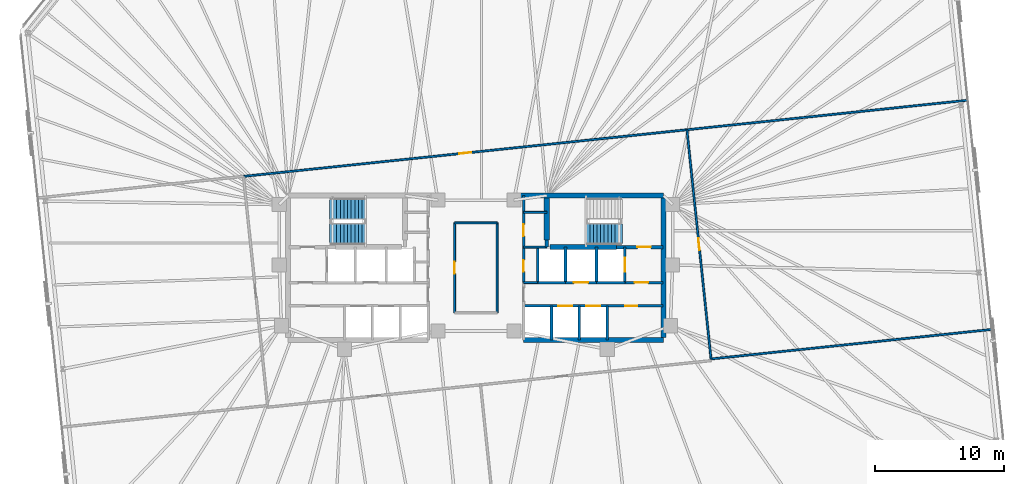
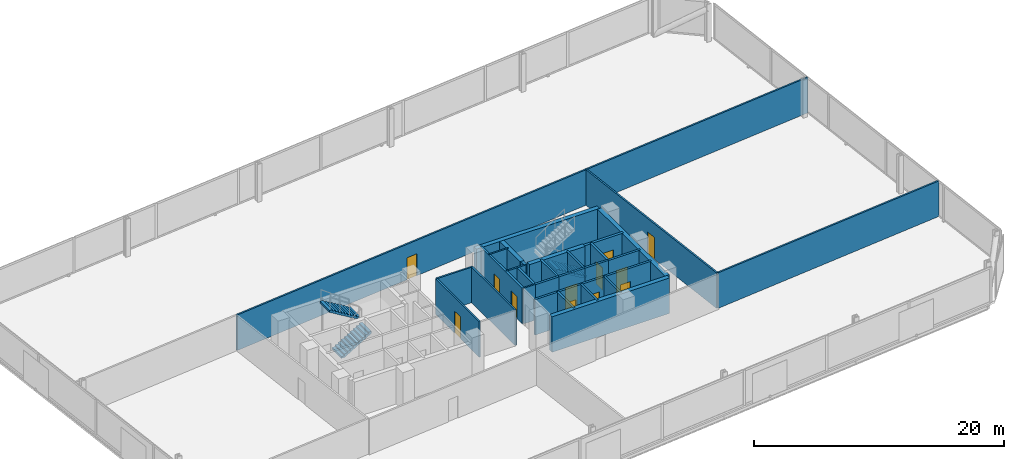
# One storey, part 15 of 17: 30 walls, 12 doors, 3 stair flights, 12 openings, 2 elements without a shape of their own.
"""IFC4 building model written with IfcOpenShell, lengths in metres."""

from ifc_helpers import new_model, si_unit, direction, frame, frame_2d, origin, place, context, subcontext, project, spatial, polyline, rectangle, outline, extrude, material, layer, layer_set, type_object, element, fill, aggregate, save


model = new_model("IFC4")

# Units and contexts
model_context = context("Model", 3, precision=1e-05, world=origin(), true_north=direction((0.0, 1.0)))
body_context = subcontext(model_context, "Body", "Model", "MODEL_VIEW")
ifc_project = project(units=[si_unit("LENGTHUNIT", "METRE"), si_unit("AREAUNIT", "SQUARE_METRE"), si_unit("VOLUMEUNIT", "CUBIC_METRE"), si_unit("PLANEANGLEUNIT", "RADIAN"), si_unit("MASSUNIT", "GRAM", prefix="KILO")], contexts=[model_context])

# Site, building, storey
site_placement = place(None, origin())
site = spatial("IfcSite", under=ifc_project, at=site_placement, CompositionType="ELEMENT")
building_placement = place(site_placement, origin())
building = spatial("IfcBuilding", under=site, at=building_placement, Name="Menara Jurai Vektor", CompositionType="ELEMENT")
storey_placement = place(building_placement, frame((0.0, 0.0, 131.800048828125)))
storey = spatial("IfcBuildingStorey", under=building, at=storey_placement, Name="L33", CompositionType="ELEMENT", Elevation=131.800048828125)

# Wall, opening, door
ifc_material_1 = material(Name="Concrete C40/50", Category="concrete")
ifc_layer_1 = layer(ifc_material_1, 0.25)
ifc_layer_set_1 = layer_set([ifc_layer_1], Name="Concrete C40/50")
wall_type_1 = type_object("IfcWallType", Name="INT-WALL-CORE-250", PredefinedType="STANDARD", material=ifc_layer_set_1)
wall_1_placement = place(storey_placement, frame((10.89990234375, 1.60009765625, 0.0), z_axis=(0.0, 0.0, 1.0), x_axis=(1.0, 0.0, 0.0)))
wall_1 = element("IfcWall", 1, at=wall_1_placement, inside=storey, type_object=wall_type_1, Name="Interior Wall IW-250 L33", PredefinedType="STANDARD", context=body_context, shape_type="SweptSolid", body=[
    extrude(rectangle(XDim=3.60009765625, YDim=0.25, at=frame_2d((1.800048828125, 0.0))), origin(), (0.0, 0.0, 1.0), 3.474853515625),
])
opening_1_placement = place(wall_1_placement, frame((1.6201171875, 0.0, 0.0)))
opening_1 = element("IfcOpeningElement", 2, at=opening_1_placement, cuts=wall_1, Name="Opening D-L33-ST2", PredefinedType="OPENING", context=body_context, shape_type="SweptSolid", body=[
    extrude(rectangle(XDim=1.050048828125, YDim=2.14990234375, at=frame_2d((0.52490234375, 1.074951171875))), frame((0.0, 0.135009765625, 0.0), z_axis=(0.0, -1.0, 0.0), x_axis=(1.0, 0.0, 0.0)), (0.0, 0.0, 1.0), 0.27001953125),
])
ifc_material_2 = material(Name="Fire-Rated Steel Door", Category="steel")
door_type_1 = type_object("IfcDoorType", Name="DR-STAIR-1050", OperationType="NOTDEFINED", PredefinedType="DOOR", material=ifc_material_2)
door_1_placement = place(opening_1_placement, origin())
door_1 = element("IfcDoor", 3, at=door_1_placement, inside=storey, type_object=door_type_1, Name="Exit Stair ST2 Door L33", OperationType="SINGLE_SWING_LEFT", OverallHeight=2.14990234375, OverallWidth=1.050048828125, PredefinedType="DOOR", context=body_context, shape_type="SweptSolid", body=[
    extrude(rectangle(XDim=1.050048828125, YDim=2.14990234375, at=frame_2d((0.52490234375, 1.074951171875))), frame((0.0, 0.02490234375, 0.0), z_axis=(0.0, -1.0, 0.0), x_axis=(1.0, 0.0, 0.0)), (0.0, 0.0, 1.0), 0.050048828125),
])
fill(opening_1, door_1)

# Wall
wall_2_placement = place(storey_placement, frame((5.5, 1.60009765625, 0.0), z_axis=(0.0, 0.0, 1.0), x_axis=(0.0, 1.0, 0.0)))
element("IfcWall", 4, at=wall_2_placement, inside=storey, type_object=wall_type_1, Name="Interior Wall IW-250 L33", PredefinedType="STANDARD", context=body_context, shape_type="SweptSolid", body=[
    extrude(rectangle(XDim=0.5498046875, YDim=0.25, at=frame_2d((0.27490234375, 0.0))), origin(), (0.0, 0.0, 1.0), 3.474853515625),
])

# Wall, opening, door
wall_3_placement = place(storey_placement, frame((11.550048828125, -1.14990234375, 0.0), z_axis=(0.0, 0.0, 1.0), x_axis=(0.0, 1.0, 0.0)))
wall_3 = element("IfcWall", 5, at=wall_3_placement, inside=storey, type_object=wall_type_1, Name="Interior Wall IW-250 L33", PredefinedType="STANDARD", context=body_context, shape_type="SweptSolid", body=[
    extrude(rectangle(XDim=2.75, YDim=0.199951171875, at=frame_2d((1.375, 0.0))), origin(), (0.0, 0.0, 1.0), 3.474853515625),
])
opening_2_placement = place(wall_3_placement, frame((0.824951171875, 0.0, 0.0)))
opening_2 = element("IfcOpeningElement", 6, at=opening_2_placement, cuts=wall_3, Name="Opening LD-L33-FL2", PredefinedType="OPENING", context=body_context, shape_type="SweptSolid", body=[
    extrude(rectangle(XDim=1.10009765625, YDim=2.14990234375, at=frame_2d((0.550048828125, 1.074951171875))), frame((0.0, 0.10986328125, 0.0), z_axis=(0.0, -1.0, 0.0), x_axis=(1.0, 0.0, 0.0)), (0.0, 0.0, 1.0), 0.219970703125),
])
ifc_material_3 = material(Name="Stainless Steel Sliding Lift Landing Door", Category="steel")
door_type_2 = type_object("IfcDoorType", Name="DR-LIFT-FIRE-1100", OperationType="NOTDEFINED", PredefinedType="DOOR", material=ifc_material_3)
door_2_placement = place(opening_2_placement, origin())
door_2 = element("IfcDoor", 7, at=door_2_placement, inside=storey, type_object=door_type_2, Name="Lift Landing Door FL2 L33", OperationType="SLIDING_TO_RIGHT", OverallHeight=2.14990234375, OverallWidth=1.10009765625, PredefinedType="DOOR", context=body_context, shape_type="SweptSolid", body=[
    extrude(rectangle(XDim=1.10009765625, YDim=2.14990234375, at=frame_2d((0.550048828125, 1.074951171875))), frame((0.0, 0.02490234375, 0.0), z_axis=(0.0, -1.0, 0.0), x_axis=(1.0, 0.0, 0.0)), (0.0, 0.0, 1.0), 0.050048828125),
])
fill(opening_2, door_2)

# Wall
wall_4_placement = place(storey_placement, frame((9.35009765625, -1.14990234375, 0.0), z_axis=(0.0, 0.0, 1.0), x_axis=(0.0, 1.0, 0.0)))
element("IfcWall", 8, at=wall_4_placement, inside=storey, type_object=wall_type_1, Name="Interior Wall IW-250 L33", PredefinedType="STANDARD", context=body_context, shape_type="SweptSolid", body=[
    extrude(rectangle(XDim=2.75, YDim=0.199951171875, at=frame_2d((1.375, 0.0))), origin(), (0.0, 0.0, 1.0), 3.474853515625),
])

# Wall, opening, door
wall_5_placement = place(storey_placement, frame((11.550048828125, -1.14990234375, 0.0), z_axis=(0.0, 0.0, 1.0), x_axis=(1.0, 0.0, 0.0)))
wall_5 = element("IfcWall", 9, at=wall_5_placement, inside=storey, type_object=wall_type_1, Name="Interior Wall IW-250 L33", PredefinedType="STANDARD", context=body_context, shape_type="SweptSolid", body=[
    extrude(rectangle(XDim=2.949951171875, YDim=0.199951171875, at=frame_2d((1.47509765625, 0.0))), origin(), (0.0, 0.0, 1.0), 3.474853515625),
])
opening_3_placement = place(wall_5_placement, frame((0.75, 0.0, 0.0)))
opening_3 = element("IfcOpeningElement", 10, at=opening_3_placement, cuts=wall_5, Name="Opening D-L33-FFE", PredefinedType="OPENING", context=body_context, shape_type="SweptSolid", body=[
    extrude(rectangle(XDim=1.050048828125, YDim=2.179931640625, at=frame_2d((0.52490234375, 1.08984375))), frame((0.0, 0.10986328125, 0.0), z_axis=(0.0, -1.0, 0.0), x_axis=(1.0, 0.0, 0.0)), (0.0, 0.0, 1.0), 0.219970703125),
])
ifc_material_4 = material(Name="Fire-Rated Timber Door", Category="wood")
door_type_3 = type_object("IfcDoorType", Name="DR-LOBBY-1050", OperationType="NOTDEFINED", PredefinedType="DOOR", material=ifc_material_4)
door_3_placement = place(opening_3_placement, origin())
door_3 = element("IfcDoor", 11, at=door_3_placement, inside=storey, type_object=door_type_3, Name="Fire Lift Lobby Door E L33", OperationType="SINGLE_SWING_LEFT", OverallHeight=2.179931640625, OverallWidth=1.050048828125, PredefinedType="DOOR", context=body_context, shape_type="SweptSolid", body=[
    extrude(rectangle(XDim=1.050048828125, YDim=2.179931640625, at=frame_2d((0.52490234375, 1.08984375))), frame((0.0, 0.02490234375, 0.0), z_axis=(0.0, -1.0, 0.0), x_axis=(1.0, 0.0, 0.0)), (0.0, 0.0, 1.0), 0.050048828125),
])
fill(opening_3, door_3)

# Walls
wall_6_placement = place(storey_placement, frame((9.35009765625, -1.14990234375, 0.0), z_axis=(0.0, 0.0, 1.0), x_axis=(1.0, 0.0, 0.0)))
element("IfcWall", 12, at=wall_6_placement, inside=storey, type_object=wall_type_1, Name="Interior Wall IW-250 L33", PredefinedType="STANDARD", context=body_context, shape_type="SweptSolid", body=[
    extrude(rectangle(XDim=2.199951171875, YDim=0.199951171875, at=frame_2d((1.10009765625, 0.0))), origin(), (0.0, 0.0, 1.0), 3.474853515625),
])
ifc_material_5 = material(Name="Gypsum Fireboard Partition", Category="gypsum")
ifc_layer_2 = layer(ifc_material_5, 0.14990234375)
ifc_layer_set_2 = layer_set([ifc_layer_2], Name="Gypsum Fireboard Partition")
wall_type_2 = type_object("IfcWallType", Name="INT-WALL-CORR-150", PredefinedType="PARTITIONING", material=ifc_layer_set_2)
wall_7_placement = place(storey_placement, frame((3.699951171875, -1.14990234375, 0.0), z_axis=(0.0, 0.0, 1.0), x_axis=(1.0, 0.0, 0.0)))
element("IfcWall", 13, at=wall_7_placement, inside=storey, type_object=wall_type_2, Name="Interior Wall IW-150 L33", PredefinedType="PARTITIONING", context=body_context, shape_type="SweptSolid", body=[
    extrude(rectangle(XDim=1.090087890625, YDim=0.14990234375, at=frame_2d((0.544921875, 0.0))), origin(), (0.0, 0.0, 1.0), 3.474853515625),
])
for number, where, z_axis, x_axis, name in (
    (14, (3.699951171875, 4.300048828125, 0.0), (0.0, 0.0, 1.0), (1.0, 0.0, 0.0), "Interior Wall IW-150 L33"),
    (15, (3.699951171875, 1.60009765625, 0.0), (0.0, 0.0, 1.0), (1.0, 0.0, 0.0), "Interior Wall IW-150 L33"),
):
    element("IfcWall", number, at=place(storey_placement, frame(where, z_axis=z_axis, x_axis=x_axis)), inside=storey, type_object=wall_type_2, Name=name, PredefinedType="PARTITIONING", context=body_context, shape_type="SweptSolid", body=[
        extrude(rectangle(XDim=1.800048828125, YDim=0.14990234375, at=frame_2d((0.89990234375, 0.0))), origin(), (0.0, 0.0, 1.0), 3.474853515625),
    ])

# Wall, opening, door
wall_8_placement = place(storey_placement, frame((-1.649658203125, -3.490478515625, 0.0), z_axis=(0.0, 0.0, 1.0), x_axis=(-0.000104928124, 0.999999994495, 0.0)))
wall_8 = element("IfcWall", 16, at=wall_8_placement, inside=storey, type_object=wall_type_2, Name="Interior Wall IW-150 L33", PredefinedType="PARTITIONING", context=body_context, shape_type="SweptSolid", body=[
    extrude(rectangle(XDim=6.980224609375, YDim=0.14990234375, at=frame_2d((3.490234375, 0.0))), origin(), (0.0, 0.0, 1.0), 3.474853515625),
])
opening_4_placement = place(wall_8_placement, frame((3.01513671875, 0.0, 0.0)))
opening_4 = element("IfcOpeningElement", 17, at=opening_4_placement, cuts=wall_8, Name="Opening D33-08", PredefinedType="OPENING", context=body_context, shape_type="SweptSolid", body=[
    extrude(rectangle(XDim=0.949951171875, YDim=2.14990234375, at=frame_2d((0.47509765625, 1.074951171875))), frame((0.0, 0.0849609375, 0.0), z_axis=(0.0, -1.0, 0.0), x_axis=(1.0, 0.0, 0.0)), (0.0, 0.0, 1.0), 0.169921875),
])
ifc_material_6 = material(Name="Solid Core Timber Fire Door", Category="wood")
door_type_4 = type_object("IfcDoorType", Name="DR-ENTRY-950", OperationType="NOTDEFINED", PredefinedType="DOOR", material=ifc_material_6)
door_4_placement = place(opening_4_placement, origin())
door_4 = element("IfcDoor", 18, at=door_4_placement, inside=storey, type_object=door_type_4, Name="Interior Door D33-08", OperationType="SINGLE_SWING_LEFT", OverallHeight=2.14990234375, OverallWidth=0.949951171875, PredefinedType="DOOR", context=body_context, shape_type="SweptSolid", body=[
    extrude(rectangle(XDim=0.949951171875, YDim=2.14990234375, at=frame_2d((0.47509765625, 1.074951171875))), frame((0.0, 0.02490234375, 0.0), z_axis=(0.0, -1.0, 0.0), x_axis=(1.0, 0.0, 0.0)), (0.0, 0.0, 1.0), 0.050048828125),
])
fill(opening_4, door_4)

# Walls
wall_9_placement = place(storey_placement, frame((-1.650390625, 3.48974609375, 0.0), z_axis=(0.0, 0.0, 1.0), x_axis=(1.0, 0.0, 0.0)))
element("IfcWall", 19, at=wall_9_placement, inside=storey, type_object=wall_type_2, Name="Interior Wall IW-150 L33", PredefinedType="PARTITIONING", context=body_context, shape_type="SweptSolid", body=[
    extrude(rectangle(XDim=3.30029296875, YDim=0.14990234375, at=frame_2d((1.650146484375, 0.0))), origin(), (0.0, 0.0, 1.0), 3.474853515625),
])
wall_10_placement = place(storey_placement, frame((1.650390625, -3.490478515625, 0.0), z_axis=(0.0, 0.0, 1.0), x_axis=(-6.9952083e-05, 0.999999997553, 0.0)))
element("IfcWall", 20, at=wall_10_placement, inside=storey, type_object=wall_type_2, Name="Interior Wall IW-150 L33", PredefinedType="PARTITIONING", context=body_context, shape_type="SweptSolid", body=[
    extrude(rectangle(XDim=6.980224609375, YDim=0.14990234375, at=frame_2d((3.490234375, 0.0))), origin(), (0.0, 0.0, 1.0), 3.474853515625),
])

# Wall, opening, door
wall_11_placement = place(storey_placement, frame((-18.021240234375, 7.09033203125, 0.0), z_axis=(0.0, 0.0, 1.0), x_axis=(0.994522464549, 0.104523047737, 0.0)))
wall_11 = element("IfcWall", 21, at=wall_11_placement, inside=storey, type_object=wall_type_2, Name="Interior Wall IW-150 L33", PredefinedType="PARTITIONING", context=body_context, shape_type="SweptSolid", body=[
    extrude(rectangle(XDim=34.573974609375, YDim=0.14990234375, at=frame_2d((17.287109375, 0.0))), origin(), (0.0, 0.0, 1.0), 3.474853515625),
])
opening_5_placement = place(wall_11_placement, frame((16.81201171875, 0.0, 0.0)))
opening_5 = element("IfcOpeningElement", 22, at=opening_5_placement, cuts=wall_11, Name="Opening D33-09", PredefinedType="OPENING", context=body_context, shape_type="SweptSolid", body=[
    extrude(rectangle(XDim=0.949951171875, YDim=2.14990234375, at=frame_2d((0.47509765625, 1.074951171875))), frame((0.0, 0.0849609375, 0.0), z_axis=(0.0, -1.0, 0.0), x_axis=(1.0, 0.0, 0.0)), (0.0, 0.0, 1.0), 0.169921875),
])
door_5_placement = place(opening_5_placement, origin())
door_5 = element("IfcDoor", 23, at=door_5_placement, inside=storey, type_object=door_type_4, Name="Interior Door D33-09", OperationType="SINGLE_SWING_RIGHT", OverallHeight=2.14990234375, OverallWidth=0.949951171875, PredefinedType="DOOR", context=body_context, shape_type="SweptSolid", body=[
    extrude(rectangle(XDim=0.949951171875, YDim=2.14990234375, at=frame_2d((0.47509765625, 1.074951171875))), frame((0.0, 0.02490234375, 0.0), z_axis=(0.0, -1.0, 0.0), x_axis=(1.0, 0.0, 0.0)), (0.0, 0.0, 1.0), 0.050048828125),
])
fill(opening_5, door_5)

wall_12_placement = place(storey_placement, frame((18.231201171875, -7.06787109375, 0.0), z_axis=(0.0, 0.0, 1.0), x_axis=(-0.104529034836, 0.994521835294, 0.0)))
wall_12 = element("IfcWall", 24, at=wall_12_placement, inside=storey, type_object=wall_type_2, Name="Interior Wall IW-150 L33", PredefinedType="PARTITIONING", context=body_context, shape_type="SweptSolid", body=[
    extrude(rectangle(XDim=17.869873046875, YDim=0.14990234375, at=frame_2d((8.93505859375, 0.0))), origin(), (0.0, 0.0, 1.0), 3.474853515625),
])
opening_6_placement = place(wall_12_placement, frame((8.4599609375, 0.0, 0.0)))
opening_6 = element("IfcOpeningElement", 25, at=opening_6_placement, cuts=wall_12, Name="Opening D33-13", PredefinedType="OPENING", context=body_context, shape_type="SweptSolid", body=[
    extrude(rectangle(XDim=0.949951171875, YDim=2.14990234375, at=frame_2d((0.47509765625, 1.074951171875))), frame((0.0, 0.0849609375, 0.0), z_axis=(0.0, -1.0, 0.0), x_axis=(1.0, 0.0, 0.0)), (0.0, 0.0, 1.0), 0.169921875),
])
door_6_placement = place(opening_6_placement, origin())
door_6 = element("IfcDoor", 26, at=door_6_placement, inside=storey, type_object=door_type_4, Name="Interior Door D33-13", OperationType="SINGLE_SWING_RIGHT", OverallHeight=2.14990234375, OverallWidth=0.949951171875, PredefinedType="DOOR", context=body_context, shape_type="SweptSolid", body=[
    extrude(rectangle(XDim=0.949951171875, YDim=2.14990234375, at=frame_2d((0.47509765625, 1.074951171875))), frame((0.0, 0.02490234375, 0.0), z_axis=(0.0, -1.0, 0.0), x_axis=(1.0, 0.0, 0.0)), (0.0, 0.0, 1.0), 0.050048828125),
])
fill(opening_6, door_6)

# Walls
wall_13_placement = place(storey_placement, frame((16.36328125, 10.7041015625, 0.0), z_axis=(0.0, 0.0, 1.0), x_axis=(0.994521206634, 0.104535015934, 0.0)))
element("IfcWall", 27, at=wall_13_placement, inside=storey, type_object=wall_type_2, Name="Interior Wall IW-150 L33", PredefinedType="PARTITIONING", context=body_context, shape_type="SweptSolid", body=[
    extrude(rectangle(XDim=21.892822265625, YDim=0.14990234375, at=frame_2d((10.9462890625, 0.0))), origin(), (0.0, 0.0, 1.0), 3.474853515625),
])
wall_14_placement = place(storey_placement, frame((18.231201171875, -7.06787109375, 0.0), z_axis=(0.0, 0.0, 1.0), x_axis=(0.994521328491, 0.104533856601, 0.0)))
element("IfcWall", 28, at=wall_14_placement, inside=storey, type_object=wall_type_2, Name="Interior Wall IW-150 L33", PredefinedType="PARTITIONING", context=body_context, shape_type="SweptSolid", body=[
    extrude(rectangle(XDim=21.89306640625, YDim=0.14990234375, at=frame_2d((10.946533203125, 0.0))), origin(), (0.0, 0.0, 1.0), 3.474853515625),
])

# Wall, openings, doors
ifc_layer_3 = layer(ifc_material_1, 0.199951171875)
ifc_layer_set_3 = layer_set([ifc_layer_3], Name="Concrete C40/50")
wall_type_3 = type_object("IfcWallType", Name="INT-WALL-SHAFT-200", PredefinedType="STANDARD", material=ifc_layer_set_3)
wall_15_placement = place(storey_placement, frame((3.699951171875, -1.14990234375, 0.0), z_axis=(0.0, 0.0, 1.0), x_axis=(0.0, 1.0, 0.0)))
wall_15 = element("IfcWall", 29, at=wall_15_placement, inside=storey, type_object=wall_type_3, Name="Interior Wall IW-200 L33", PredefinedType="STANDARD", context=body_context, shape_type="SweptSolid", body=[
    extrude(rectangle(XDim=6.75, YDim=0.199951171875, at=frame_2d((3.375, 0.0))), origin(), (0.0, 0.0, 1.0), 3.474853515625),
])
opening_7_placement = place(wall_15_placement, frame((3.60009765625, 0.0, 0.0)))
opening_7 = element("IfcOpeningElement", 30, at=opening_7_placement, cuts=wall_15, Name="Opening D33-06", PredefinedType="OPENING", context=body_context, shape_type="SweptSolid", body=[
    extrude(rectangle(XDim=0.919921875, YDim=2.14990234375, at=frame_2d((0.4599609375, 1.074951171875))), frame((0.0, 0.10986328125, 0.0), z_axis=(0.0, -1.0, 0.0), x_axis=(1.0, 0.0, 0.0)), (0.0, 0.0, 1.0), 0.219970703125),
])
opening_8_placement = place(wall_15_placement, frame((0.85009765625, 0.0, 0.0)))
opening_8 = element("IfcOpeningElement", 31, at=opening_8_placement, cuts=wall_15, Name="Opening D33-07", PredefinedType="OPENING", context=body_context, shape_type="SweptSolid", body=[
    extrude(rectangle(XDim=0.89990234375, YDim=2.14990234375, at=frame_2d((0.449951171875, 1.074951171875))), frame((0.0, 0.10986328125, 0.0), z_axis=(0.0, -1.0, 0.0), x_axis=(1.0, 0.0, 0.0)), (0.0, 0.0, 1.0), 0.219970703125),
])
door_7_placement = place(opening_7_placement, origin())
door_7 = element("IfcDoor", 32, at=door_7_placement, inside=storey, type_object=door_type_4, Name="Interior Door D33-06", OperationType="SINGLE_SWING_RIGHT", OverallHeight=2.14990234375, OverallWidth=0.919921875, PredefinedType="DOOR", context=body_context, shape_type="SweptSolid", body=[
    extrude(rectangle(XDim=0.919921875, YDim=2.14990234375, at=frame_2d((0.4599609375, 1.074951171875))), frame((0.0, 0.02490234375, 0.0), z_axis=(0.0, -1.0, 0.0), x_axis=(1.0, 0.0, 0.0)), (0.0, 0.0, 1.0), 0.050048828125),
])
fill(opening_7, door_7)
door_8_placement = place(opening_8_placement, origin())
door_8 = element("IfcDoor", 33, at=door_8_placement, inside=storey, type_object=door_type_4, Name="Interior Door D33-07", OperationType="SINGLE_SWING_RIGHT", OverallHeight=2.14990234375, OverallWidth=0.89990234375, PredefinedType="DOOR", context=body_context, shape_type="SweptSolid", body=[
    extrude(rectangle(XDim=0.89990234375, YDim=2.14990234375, at=frame_2d((0.449951171875, 1.074951171875))), frame((0.0, 0.02490234375, 0.0), z_axis=(0.0, -1.0, 0.0), x_axis=(1.0, 0.0, 0.0)), (0.0, 0.0, 1.0), 0.050048828125),
])
fill(opening_8, door_8)

# Wall
wall_16_placement = place(storey_placement, frame((6.949951171875, -1.14990234375, 0.0), z_axis=(0.0, 0.0, 1.0), x_axis=(0.0, 1.0, 0.0)))
element("IfcWall", 34, at=wall_16_placement, inside=storey, type_object=wall_type_3, Name="Interior Wall IW-200 L33", PredefinedType="STANDARD", context=body_context, shape_type="SweptSolid", body=[
    extrude(rectangle(XDim=2.75, YDim=0.199951171875, at=frame_2d((1.375, 0.0))), origin(), (0.0, 0.0, 1.0), 3.474853515625),
])

# Wall, opening, door
wall_17_placement = place(storey_placement, frame((6.949951171875, -1.14990234375, 0.0), z_axis=(0.0, 0.0, 1.0), x_axis=(1.0, 0.0, 0.0)))
wall_17 = element("IfcWall", 35, at=wall_17_placement, inside=storey, type_object=wall_type_3, Name="Interior Wall IW-200 L33", PredefinedType="STANDARD", context=body_context, shape_type="SweptSolid", body=[
    extrude(rectangle(XDim=2.400146484375, YDim=0.199951171875, at=frame_2d((1.2001953125, 0.0))), origin(), (0.0, 0.0, 1.0), 3.474853515625),
])
opening_9_placement = place(wall_17_placement, frame((0.64990234375, 0.0, 0.0)))
opening_9 = element("IfcOpeningElement", 36, at=opening_9_placement, cuts=wall_17, Name="Opening LD-L33-SVL2", PredefinedType="OPENING", context=body_context, shape_type="SweptSolid", body=[
    extrude(rectangle(XDim=1.10009765625, YDim=2.14990234375, at=frame_2d((0.550048828125, 1.074951171875))), frame((0.0, 0.10986328125, 0.0), z_axis=(0.0, -1.0, 0.0), x_axis=(1.0, 0.0, 0.0)), (0.0, 0.0, 1.0), 0.219970703125),
])
ifc_material_7 = material(Name="Anodised Stainless Sliding Lift Landing Door", Category="steel")
door_type_5 = type_object("IfcDoorType", Name="DR-LIFT-PASS-1100", OperationType="NOTDEFINED", PredefinedType="DOOR", material=ifc_material_7)
door_9_placement = place(opening_9_placement, origin())
door_9 = element("IfcDoor", 37, at=door_9_placement, inside=storey, type_object=door_type_5, Name="Lift Landing Door SVL2 L33", OperationType="SLIDING_TO_RIGHT", OverallHeight=2.14990234375, OverallWidth=1.10009765625, PredefinedType="DOOR", context=body_context, shape_type="SweptSolid", body=[
    extrude(rectangle(XDim=1.10009765625, YDim=2.14990234375, at=frame_2d((0.550048828125, 1.074951171875))), frame((0.0, 0.02490234375, 0.0), z_axis=(0.0, -1.0, 0.0), x_axis=(1.0, 0.0, 0.0)), (0.0, 0.0, 1.0), 0.050048828125),
])
fill(opening_9, door_9)

# Walls
wall_18_placement = place(storey_placement, frame((4.7900390625, -1.14990234375, 0.0), z_axis=(0.0, 0.0, 1.0), x_axis=(0.0, 1.0, 0.0)))
element("IfcWall", 38, at=wall_18_placement, inside=storey, type_object=wall_type_3, Name="Interior Wall IW-200 L33", PredefinedType="STANDARD", context=body_context, shape_type="SweptSolid", body=[
    extrude(rectangle(XDim=2.75, YDim=0.199951171875, at=frame_2d((1.375, 0.0))), origin(), (0.0, 0.0, 1.0), 3.474853515625),
])
wall_19_placement = place(storey_placement, frame((4.7900390625, -1.14990234375, 0.0), z_axis=(0.0, 0.0, 1.0), x_axis=(1.0, 0.0, 0.0)))
element("IfcWall", 39, at=wall_19_placement, inside=storey, type_object=wall_type_3, Name="Interior Wall IW-200 L33", PredefinedType="STANDARD", context=body_context, shape_type="SweptSolid", body=[
    extrude(rectangle(XDim=2.159912109375, YDim=0.199951171875, at=frame_2d((1.080078125, 0.0))), origin(), (0.0, 0.0, 1.0), 3.474853515625),
])

# Wall, openings, doors
wall_20_placement = place(storey_placement, frame((3.699951171875, -2.949951171875, 0.0), z_axis=(0.0, 0.0, 1.0), x_axis=(1.0, 0.0, 0.0)))
wall_20 = element("IfcWall", 40, at=wall_20_placement, inside=storey, type_object=wall_type_3, Name="Interior Wall IW-200 L33", PredefinedType="STANDARD", context=body_context, shape_type="SweptSolid", body=[
    extrude(rectangle(XDim=10.800048828125, YDim=0.199951171875, at=frame_2d((5.39990234375, 0.0))), origin(), (0.0, 0.0, 1.0), 3.474853515625),
])
opening_10_placement = place(wall_20_placement, frame((2.68994140625, 0.0, 0.0)))
opening_10 = element("IfcOpeningElement", 41, at=opening_10_placement, cuts=wall_20, Name="Opening LD-L33-PM3", PredefinedType="OPENING", context=body_context, shape_type="SweptSolid", body=[
    extrude(rectangle(XDim=1.10009765625, YDim=2.14990234375, at=frame_2d((0.550048828125, 1.074951171875))), frame((0.0, 0.10986328125, 0.0), z_axis=(0.0, -1.0, 0.0), x_axis=(1.0, 0.0, 0.0)), (0.0, 0.0, 1.0), 0.219970703125),
])
opening_11_placement = place(wall_20_placement, frame((4.85009765625, 0.0, 0.0)))
opening_11 = element("IfcOpeningElement", 42, at=opening_11_placement, cuts=wall_20, Name="Opening LD-L33-PM4", PredefinedType="OPENING", context=body_context, shape_type="SweptSolid", body=[
    extrude(rectangle(XDim=1.10009765625, YDim=2.14990234375, at=frame_2d((0.550048828125, 1.074951171875))), frame((0.0, 0.10986328125, 0.0), z_axis=(0.0, -1.0, 0.0), x_axis=(1.0, 0.0, 0.0)), (0.0, 0.0, 1.0), 0.219970703125),
])
opening_12_placement = place(wall_20_placement, frame((7.8798828125, 0.0, 0.0)))
opening_12 = element("IfcOpeningElement", 43, at=opening_12_placement, cuts=wall_20, Name="Opening D33-05", PredefinedType="OPENING", context=body_context, shape_type="SweptSolid", body=[
    extrude(rectangle(XDim=0.949951171875, YDim=2.14990234375, at=frame_2d((0.47509765625, 1.074951171875))), frame((0.0, 0.10986328125, 0.0), z_axis=(0.0, -1.0, 0.0), x_axis=(1.0, 0.0, 0.0)), (0.0, 0.0, 1.0), 0.219970703125),
])
door_10_placement = place(opening_12_placement, origin())
door_10 = element("IfcDoor", 44, at=door_10_placement, inside=storey, type_object=door_type_4, Name="Interior Door D33-05", OperationType="SINGLE_SWING_LEFT", OverallHeight=2.14990234375, OverallWidth=0.949951171875, PredefinedType="DOOR", context=body_context, shape_type="SweptSolid", body=[
    extrude(rectangle(XDim=0.949951171875, YDim=2.14990234375, at=frame_2d((0.47509765625, 1.074951171875))), frame((0.0, 0.02490234375, 0.0), z_axis=(0.0, -1.0, 0.0), x_axis=(1.0, 0.0, 0.0)), (0.0, 0.0, 1.0), 0.050048828125),
])
fill(opening_12, door_10)
door_11_placement = place(opening_10_placement, origin())
door_11 = element("IfcDoor", 45, at=door_11_placement, inside=storey, type_object=door_type_5, Name="Lift Landing Door PM3 L33", OperationType="SLIDING_TO_LEFT", OverallHeight=2.14990234375, OverallWidth=1.10009765625, PredefinedType="DOOR", context=body_context, shape_type="SweptSolid", body=[
    extrude(rectangle(XDim=1.10009765625, YDim=2.14990234375, at=frame_2d((0.550048828125, 1.074951171875))), frame((0.0, 0.02490234375, 0.0), z_axis=(0.0, -1.0, 0.0), x_axis=(1.0, 0.0, 0.0)), (0.0, 0.0, 1.0), 0.050048828125),
])
fill(opening_10, door_11)
door_12_placement = place(opening_11_placement, origin())
door_12 = element("IfcDoor", 46, at=door_12_placement, inside=storey, type_object=door_type_5, Name="Lift Landing Door PM4 L33", OperationType="SLIDING_TO_RIGHT", OverallHeight=2.14990234375, OverallWidth=1.10009765625, PredefinedType="DOOR", context=body_context, shape_type="SweptSolid", body=[
    extrude(rectangle(XDim=1.10009765625, YDim=2.14990234375, at=frame_2d((0.550048828125, 1.074951171875))), frame((0.0, 0.02490234375, 0.0), z_axis=(0.0, -1.0, 0.0), x_axis=(1.0, 0.0, 0.0)), (0.0, 0.0, 1.0), 0.050048828125),
])
fill(opening_11, door_12)

# Walls
wall_21_placement = place(storey_placement, frame((5.860107421875, -5.60009765625, 0.0), z_axis=(0.0, 0.0, 1.0), x_axis=(0.0, 1.0, 0.0)))
element("IfcWall", 47, at=wall_21_placement, inside=storey, type_object=wall_type_3, Name="Interior Wall IW-200 L33", PredefinedType="STANDARD", context=body_context, shape_type="SweptSolid", body=[
    extrude(rectangle(XDim=2.650146484375, YDim=0.199951171875, at=frame_2d((1.3251953125, 0.0))), origin(), (0.0, 0.0, 1.0), 3.474853515625),
])
for number, where, z_axis, x_axis, name in (
    (48, (10.179931640625, -5.60009765625, 0.0), (0.0, 0.0, 1.0), (0.0, 1.0, 0.0), "Interior Wall IW-200 L33"),
    (49, (8.02001953125, -5.60009765625, 0.0), (0.0, 0.0, 1.0), (0.0, 1.0, 0.0), "Interior Wall IW-200 L33"),
):
    element("IfcWall", number, at=place(storey_placement, frame(where, z_axis=z_axis, x_axis=x_axis)), inside=storey, type_object=wall_type_3, Name=name, PredefinedType="STANDARD", context=body_context, shape_type="SweptSolid", body=[
        extrude(rectangle(XDim=2.650146484375, YDim=0.179931640625, at=frame_2d((1.3251953125, 0.0))), origin(), (0.0, 0.0, 1.0), 3.474853515625),
    ])
ifc_material_8 = material(Name="Concrete C50/60", Category="concrete")
ifc_layer_4 = layer(ifc_material_8, 0.39990234375)
ifc_layer_set_4 = layer_set([ifc_layer_4], Name="Concrete C50/60")
wall_type_4 = type_object("IfcWallType", Name="STR-WALL-CORE400", PredefinedType="SHEAR", material=ifc_layer_set_4)
wall_22_placement = place(storey_placement, frame((3.14990234375, 5.60009765625, 0.0), z_axis=(0.0, 0.0, 1.0), x_axis=(1.0, 0.0, 0.0)))
element("IfcWall", 50, at=wall_22_placement, inside=storey, type_object=wall_type_4, Name="Core Shear Wall CW-E-N L33", PredefinedType="SHEAR", context=body_context, shape_type="SweptSolid", body=[
    extrude(rectangle(XDim=11.41015625, YDim=0.39990234375, at=frame_2d((5.705078125, 0.0))), origin(), (0.0, 0.0, 1.0), 3.474853515625),
])
wall_23_placement = place(storey_placement, frame((3.699951171875, -5.60009765625, 0.0), z_axis=(0.0, 0.0, 1.0), x_axis=(1.0, 0.0, 0.0)))
element("IfcWall", 51, at=wall_23_placement, inside=storey, type_object=wall_type_4, Name="Core Shear Wall CW-E-S L33", PredefinedType="SHEAR", context=body_context, shape_type="SweptSolid", body=[
    extrude(rectangle(XDim=10.860107421875, YDim=0.39990234375, at=frame_2d((5.43017578125, 0.0))), origin(), (0.0, 0.0, 1.0), 3.474853515625),
])
wall_24_placement = place(storey_placement, frame((14.56005859375, -5.39990234375, 0.0), z_axis=(0.0, 0.0, 1.0), x_axis=(0.0, 1.0, 0.0)))
element("IfcWall", 52, at=wall_24_placement, inside=storey, type_object=wall_type_4, Name="Core Shear Wall CW-E-E L33", PredefinedType="SHEAR", context=body_context, shape_type="SweptSolid", body=[
    extrude(rectangle(XDim=10.7998046875, YDim=0.39990234375, at=frame_2d((5.39990234375, 0.0))), origin(), (0.0, 0.0, 1.0), 3.474853515625),
])
wall_25_placement = place(storey_placement, frame((5.5, 2.14990234375, 0.0), z_axis=(0.0, 0.0, 1.0), x_axis=(0.0, 1.0, 0.0)))
element("IfcWall", 53, at=wall_25_placement, inside=storey, type_object=wall_type_4, Name="Core Shear Wall CW-E-ST L33", PredefinedType="SHEAR", context=body_context, shape_type="SweptSolid", body=[
    extrude(rectangle(XDim=3.25, YDim=0.39990234375, at=frame_2d((1.625, 0.0))), origin(), (0.0, 0.0, 1.0), 3.474853515625),
])
wall_26_placement = place(storey_placement, frame((5.75, 1.60009765625, 0.0), z_axis=(0.0, 0.0, 1.0), x_axis=(1.0, 0.0, 0.0)))
element("IfcWall", 54, at=wall_26_placement, inside=storey, type_object=wall_type_4, Name="Core Shear Wall CW-E-STS L33", PredefinedType="SHEAR", context=body_context, shape_type="SweptSolid", body=[
    extrude(rectangle(XDim=5.14990234375, YDim=0.39990234375, at=frame_2d((2.574951171875, 0.0))), origin(), (0.0, 0.0, 1.0), 3.474853515625),
])

# Stair, stair flights
stair_type = type_object("IfcStairType", Name="STAIR-DOGLEG-1500", PredefinedType="HALF_TURN_STAIR", material=ifc_material_1)
stair_1_placement = place(storey_placement, origin())
stair_1 = element("IfcStair", 55, at=stair_1_placement, inside=storey, type_object=stair_type, Name="Protected Exit Stair ST1 L33", PredefinedType="HALF_TURN_STAIR")
stair_flight_type = type_object("IfcStairFlightType", Name="STAIR-FLIGHT-1500", PredefinedType="STRAIGHT", material=ifc_material_1)
stair_flight_1_placement = place(storey_placement, frame((-11.35009765625, 2.64990234375, 0.0), z_axis=(0.0, 0.0, 1.0), x_axis=(1.0, 0.0, 0.0)))
stair_flight_1 = element("IfcStairFlight", 56, at=stair_flight_1_placement, type_object=stair_flight_type, Name="ST1 flight 1", NumberOfRisers=11, NumberOfTreads=10, PredefinedType="STRAIGHT", RiserHeight=0.168182, TreadLength=0.28, context=body_context, shape_type="SweptSolid", body=[
    extrude(outline(polyline([(0.0, 0.0), (0.0, 0.168212890625), (0.280029296875, 0.168212890625), (0.280029296875, 0.33642578125), (0.56005859375, 0.33642578125), (0.56005859375, 0.504638671875), (0.840087890625, 0.504638671875), (0.840087890625, 0.672607421875), (1.1201171875, 0.672607421875), (1.1201171875, 0.8408203125), (1.39990234375, 0.8408203125), (1.39990234375, 1.009033203125), (1.679931640625, 1.009033203125), (1.679931640625, 1.17724609375), (1.9599609375, 1.17724609375), (1.9599609375, 1.345458984375), (2.239990234375, 1.345458984375), (2.239990234375, 1.513671875), (2.52001953125, 1.513671875), (2.52001953125, 1.681884765625), (2.800048828125, 1.681884765625), (2.800048828125, 1.85009765625), (2.800048828125, 1.495361328125), (0.310546875, 0.0), (0.0, 0.0)])), frame((0.0, 0.75, 0.0), z_axis=(0.0, -1.0, 0.0), x_axis=(1.0, 0.0, 0.0)), (0.0, 0.0, 1.0), 1.5),
])
stair_flight_2_placement = place(storey_placement, frame((-8.550048828125, 4.550048828125, 1.849853515625), z_axis=(0.0, 0.0, 1.0), x_axis=(-1.0, 0.0, 0.0)))
stair_flight_2 = element("IfcStairFlight", 57, at=stair_flight_2_placement, type_object=stair_flight_type, Name="ST1 flight 2", NumberOfRisers=11, NumberOfTreads=10, PredefinedType="STRAIGHT", RiserHeight=0.168182, TreadLength=0.28, context=body_context, shape_type="SweptSolid", body=[
    extrude(outline(polyline([(0.0, 0.0), (0.0, 0.168212890625), (0.280029296875, 0.168212890625), (0.280029296875, 0.33642578125), (0.56005859375, 0.33642578125), (0.56005859375, 0.504638671875), (0.840087890625, 0.504638671875), (0.840087890625, 0.672607421875), (1.1201171875, 0.672607421875), (1.1201171875, 0.8408203125), (1.39990234375, 0.8408203125), (1.39990234375, 1.009033203125), (1.679931640625, 1.009033203125), (1.679931640625, 1.17724609375), (1.9599609375, 1.17724609375), (1.9599609375, 1.345458984375), (2.239990234375, 1.345458984375), (2.239990234375, 1.513671875), (2.52001953125, 1.513671875), (2.52001953125, 1.681884765625), (2.800048828125, 1.681884765625), (2.800048828125, 1.85009765625), (2.800048828125, 1.495361328125), (0.310546875, 0.0), (0.0, 0.0)])), frame((0.0, 0.75, 0.0), z_axis=(0.0, -1.0, 0.0), x_axis=(1.0, 0.0, 0.0)), (0.0, 0.0, 1.0), 1.5),
])
aggregate(stair_1, [stair_flight_1, stair_flight_2])

# Stair, stair flight
stair_2_placement = place(storey_placement, origin())
stair_2 = element("IfcStair", 58, at=stair_2_placement, inside=storey, type_object=stair_type, Name="Protected Exit Stair ST2 L33", PredefinedType="HALF_TURN_STAIR")
stair_flight_3_placement = place(storey_placement, frame((11.35009765625, 2.64990234375, 0.0), z_axis=(0.0, 0.0, 1.0), x_axis=(-1.0, 0.0, 0.0)))
stair_flight_3 = element("IfcStairFlight", 59, at=stair_flight_3_placement, type_object=stair_flight_type, Name="ST2 flight 1", NumberOfRisers=11, NumberOfTreads=10, PredefinedType="STRAIGHT", RiserHeight=0.168182, TreadLength=0.28, context=body_context, shape_type="SweptSolid", body=[
    extrude(outline(polyline([(0.0, 0.0), (0.0, 0.168212890625), (0.280029296875, 0.168212890625), (0.280029296875, 0.33642578125), (0.56005859375, 0.33642578125), (0.56005859375, 0.504638671875), (0.840087890625, 0.504638671875), (0.840087890625, 0.672607421875), (1.1201171875, 0.672607421875), (1.1201171875, 0.8408203125), (1.39990234375, 0.8408203125), (1.39990234375, 1.009033203125), (1.679931640625, 1.009033203125), (1.679931640625, 1.17724609375), (1.9599609375, 1.17724609375), (1.9599609375, 1.345458984375), (2.239990234375, 1.345458984375), (2.239990234375, 1.513671875), (2.52001953125, 1.513671875), (2.52001953125, 1.681884765625), (2.800048828125, 1.681884765625), (2.800048828125, 1.85009765625), (2.800048828125, 1.495361328125), (0.310546875, 0.0), (0.0, 0.0)])), frame((0.0, 0.75, 0.0), z_axis=(0.0, -1.0, 0.0), x_axis=(1.0, 0.0, 0.0)), (0.0, 0.0, 1.0), 1.5),
])
aggregate(stair_2, [stair_flight_3])

save(model, "model.ifc")
